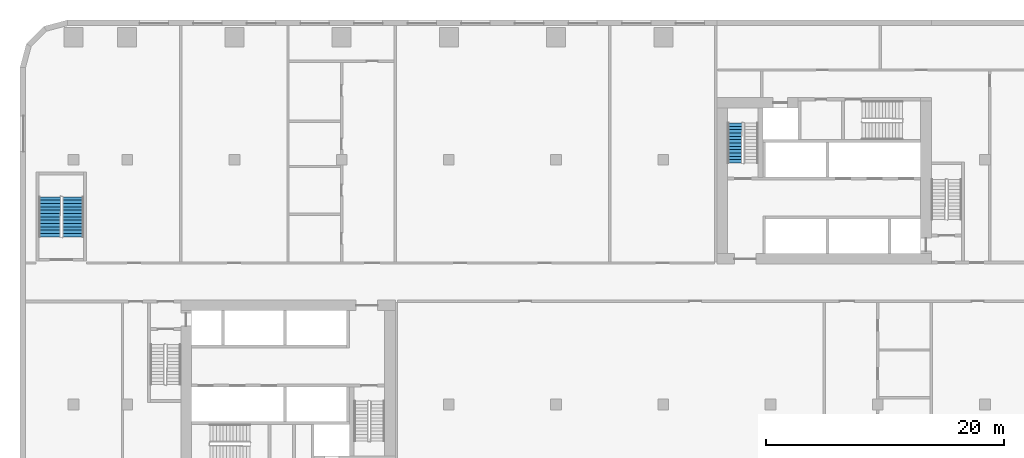
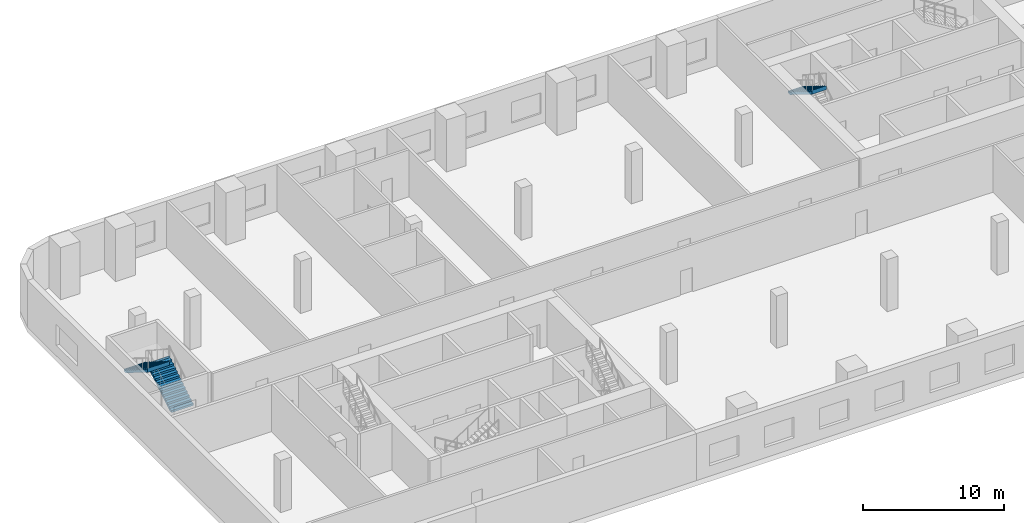
# One storey, part 10 of 15: 3 stair flights, 2 elements without a shape of their own.
"""IFC4 building model written with IfcOpenShell, lengths in metres."""

from ifc_helpers import new_model, si_unit, direction, frame, origin, place, context, subcontext, project, spatial, faceted_brep, material, type_object, element, aggregate, save


model = new_model("IFC4")

# Units and contexts
model_context = context("Model", 3, precision=1e-05, world=origin(), true_north=direction((0.0, 1.0)))
body_context = subcontext(model_context, "Body", "Model", "MODEL_VIEW")
ifc_project = project(units=[si_unit("LENGTHUNIT", "METRE"), si_unit("AREAUNIT", "SQUARE_METRE"), si_unit("VOLUMEUNIT", "CUBIC_METRE"), si_unit("PLANEANGLEUNIT", "RADIAN"), si_unit("MASSUNIT", "GRAM", prefix="KILO")], contexts=[model_context])

# Site, building, storey
site_placement = place(None, origin())
site = spatial("IfcSite", under=ifc_project, at=site_placement, CompositionType="ELEMENT")
building_placement = place(site_placement, origin())
building = spatial("IfcBuilding", under=site, at=building_placement, Name="Kajstack Hotel Tower", CompositionType="ELEMENT")
storey_placement = place(building_placement, frame((0.0, 0.0, 29.0)))
storey = spatial("IfcBuildingStorey", under=building, at=storey_placement, Name="L04", CompositionType="ELEMENT", Elevation=29.0)

# Stair, stair flights
ifc_material = material(Name="Concrete C40/50", Category="concrete")
stair_type_1 = type_object("IfcStairType", Name="Escape stair 1800", PredefinedType="HALF_TURN_STAIR", material=ifc_material)
stair_1_placement = place(storey_placement, origin())
stair_1 = element("IfcStair", 1, at=stair_1_placement, inside=storey, type_object=stair_type_1, Name="L04 stair P1", PredefinedType="HALF_TURN_STAIR")
stair_flight_type_1 = type_object("IfcStairFlightType", Name="Escape stair flight 1800", PredefinedType="STRAIGHT", material=ifc_material)
stair_flight_1_placement = place(storey_placement, frame((-40.550048828125, 3.800048828125, 0.0), z_axis=(0.0, 0.0, 1.0), x_axis=(0.0, 1.0, 0.0)))
stair_flight_1 = element("IfcStairFlight", 2, at=stair_flight_1_placement, type_object=stair_flight_type_1, Name="P1 flight 1", NumberOfRisers=13, NumberOfTreads=12, PredefinedType="STRAIGHT", RiserHeight=0.173076923, TreadLength=0.28, context=body_context, shape_type="Brep", body=[
    faceted_brep([(0.28564453125, -0.89990234375, 0.0), (3.360595703125, -0.89990234375, 1.900634765625), (3.360595703125, -0.89990234375, 2.25), (3.360107421875, -0.89990234375, 2.25), (3.360107421875, -0.89990234375, 2.076904296875), (3.080078125, -0.89990234375, 2.076904296875), (3.080078125, -0.89990234375, 1.90380859375), (2.800048828125, -0.89990234375, 1.90380859375), (2.800048828125, -0.89990234375, 1.730712890625), (2.52001953125, -0.89990234375, 1.730712890625), (2.52001953125, -0.89990234375, 1.5576171875), (2.239990234375, -0.89990234375, 1.5576171875), (2.239990234375, -0.89990234375, 1.384521484375), (1.9599609375, -0.89990234375, 1.384521484375), (1.9599609375, -0.89990234375, 1.21142578125), (1.679931640625, -0.89990234375, 1.21142578125), (1.679931640625, -0.89990234375, 1.03857421875), (1.39990234375, -0.89990234375, 1.03857421875), (1.39990234375, -0.89990234375, 0.865478515625), (1.1201171875, -0.89990234375, 0.865478515625), (1.1201171875, -0.89990234375, 0.6923828125), (0.840087890625, -0.89990234375, 0.6923828125), (0.840087890625, -0.89990234375, 0.519287109375), (0.56005859375, -0.89990234375, 0.519287109375), (0.56005859375, -0.89990234375, 0.34619140625), (0.280029296875, -0.89990234375, 0.34619140625), (0.280029296875, -0.89990234375, 0.173095703125), (-0.00048828125, -0.89990234375, 0.173095703125), (-0.00048828125, -0.89990234375, 0.0), (-0.00048828125, 0.89990234375, 0.0), (-0.00048828125, 0.89990234375, 0.173095703125), (0.280029296875, 0.89990234375, 0.173095703125), (0.280029296875, 0.89990234375, 0.34619140625), (0.56005859375, 0.89990234375, 0.34619140625), (0.56005859375, 0.89990234375, 0.519287109375), (0.840087890625, 0.89990234375, 0.519287109375), (0.840087890625, 0.89990234375, 0.6923828125), (1.1201171875, 0.89990234375, 0.6923828125), (1.1201171875, 0.89990234375, 0.865478515625), (1.39990234375, 0.89990234375, 0.865478515625), (1.39990234375, 0.89990234375, 1.03857421875), (1.679931640625, 0.89990234375, 1.03857421875), (1.679931640625, 0.89990234375, 1.21142578125), (1.9599609375, 0.89990234375, 1.21142578125), (1.9599609375, 0.89990234375, 1.384521484375), (2.239990234375, 0.89990234375, 1.384521484375), (2.239990234375, 0.89990234375, 1.5576171875), (2.52001953125, 0.89990234375, 1.5576171875), (2.52001953125, 0.89990234375, 1.730712890625), (2.800048828125, 0.89990234375, 1.730712890625), (2.800048828125, 0.89990234375, 1.90380859375), (3.080078125, 0.89990234375, 1.90380859375), (3.080078125, 0.89990234375, 2.076904296875), (3.360107421875, 0.89990234375, 2.076904296875), (3.360107421875, 0.89990234375, 2.25), (3.360595703125, 0.89990234375, 2.25), (3.360595703125, 0.89990234375, 1.900634765625), (0.28564453125, 0.89990234375, 0.0), (-0.00048828125, -0.449951171875, 0.173095703125), (-0.00048828125, 0.0, 0.173095703125), (-0.00048828125, 0.449951171875, 0.173095703125), (-0.00048828125, 0.449951171875, 0.0), (-0.00048828125, 0.0, 0.0), (-0.00048828125, -0.449951171875, 0.0), (0.280029296875, -0.449951171875, 0.173095703125), (0.280029296875, 0.0, 0.173095703125), (0.280029296875, 0.449951171875, 0.173095703125), (0.280029296875, -0.449951171875, 0.34619140625), (0.280029296875, 0.0, 0.34619140625), (0.280029296875, 0.449951171875, 0.34619140625), (0.56005859375, -0.449951171875, 0.34619140625), (0.56005859375, 0.0, 0.34619140625), (0.56005859375, 0.449951171875, 0.34619140625), (0.56005859375, -0.449951171875, 0.519287109375), (0.56005859375, 0.0, 0.519287109375), (0.56005859375, 0.449951171875, 0.519287109375), (0.840087890625, -0.449951171875, 0.519287109375), (0.840087890625, 0.0, 0.519287109375), (0.840087890625, 0.449951171875, 0.519287109375), (0.840087890625, -0.449951171875, 0.6923828125), (0.840087890625, 0.0, 0.6923828125), (0.840087890625, 0.449951171875, 0.6923828125), (1.1201171875, -0.449951171875, 0.6923828125), (1.1201171875, 0.0, 0.6923828125), (1.1201171875, 0.449951171875, 0.6923828125), (1.1201171875, -0.449951171875, 0.865478515625), (1.1201171875, 0.0, 0.865478515625), (1.1201171875, 0.449951171875, 0.865478515625), (1.39990234375, -0.449951171875, 0.865478515625), (1.39990234375, 0.0, 0.865478515625), (1.39990234375, 0.449951171875, 0.865478515625), (1.39990234375, -0.449951171875, 1.03857421875), (1.39990234375, 0.0, 1.03857421875), (1.39990234375, 0.449951171875, 1.03857421875), (1.679931640625, -0.449951171875, 1.03857421875), (1.679931640625, 0.0, 1.03857421875), (1.679931640625, 0.449951171875, 1.03857421875), (1.679931640625, -0.449951171875, 1.21142578125), (1.679931640625, 0.0, 1.21142578125), (1.679931640625, 0.449951171875, 1.21142578125), (1.9599609375, -0.449951171875, 1.21142578125), (1.9599609375, 0.0, 1.21142578125), (1.9599609375, 0.449951171875, 1.21142578125), (1.9599609375, -0.449951171875, 1.384521484375), (1.9599609375, 0.0, 1.384521484375), (1.9599609375, 0.449951171875, 1.384521484375), (2.239990234375, -0.449951171875, 1.384521484375), (2.239990234375, 0.0, 1.384521484375), (2.239990234375, 0.449951171875, 1.384521484375), (2.239990234375, -0.449951171875, 1.5576171875), (2.239990234375, 0.0, 1.5576171875), (2.239990234375, 0.449951171875, 1.5576171875), (2.52001953125, -0.449951171875, 1.5576171875), (2.52001953125, 0.0, 1.5576171875), (2.52001953125, 0.449951171875, 1.5576171875), (2.52001953125, -0.449951171875, 1.730712890625), (2.52001953125, 0.0, 1.730712890625), (2.52001953125, 0.449951171875, 1.730712890625), (2.800048828125, -0.449951171875, 1.730712890625), (2.800048828125, 0.0, 1.730712890625), (2.800048828125, 0.449951171875, 1.730712890625), (2.800048828125, -0.449951171875, 1.90380859375), (2.800048828125, 0.0, 1.90380859375), (2.800048828125, 0.449951171875, 1.90380859375), (3.080078125, -0.449951171875, 1.90380859375), (3.080078125, 0.0, 1.90380859375), (3.080078125, 0.449951171875, 1.90380859375), (3.080078125, -0.449951171875, 2.076904296875), (3.080078125, 0.0, 2.076904296875), (3.080078125, 0.449951171875, 2.076904296875), (3.360107421875, -0.449951171875, 2.076904296875), (3.360107421875, 0.0, 2.076904296875), (3.360107421875, 0.449951171875, 2.076904296875), (3.360107421875, -0.449951171875, 2.25), (3.360107421875, 0.0, 2.25), (3.360107421875, 0.449951171875, 2.25), (3.360595703125, -0.449951171875, 2.25), (3.360595703125, 0.0, 2.25), (3.360595703125, 0.449951171875, 2.25), (3.360595703125, -0.449951171875, 1.900634765625), (3.360595703125, 0.0, 1.900634765625), (3.360595703125, 0.449951171875, 1.900634765625), (0.28564453125, -0.449951171875, 0.0), (0.28564453125, 0.0, 0.0), (0.28564453125, 0.449951171875, 0.0)], [[[0, 1, 2, 3, 4, 5, 6, 7, 8, 9, 10, 11, 12, 13, 14, 15, 16, 17, 18, 19, 20, 21, 22, 23, 24, 25, 26, 27, 28]], [[29, 30, 31, 32, 33, 34, 35, 36, 37, 38, 39, 40, 41, 42, 43, 44, 45, 46, 47, 48, 49, 50, 51, 52, 53, 54, 55, 56, 57]], [[27, 58, 59, 60, 30, 29, 61, 62, 63, 28]], [[26, 64, 65, 66, 31, 30, 60, 59, 58, 27]], [[25, 67, 68, 69, 32, 31, 66, 65, 64, 26]], [[24, 70, 71, 72, 33, 32, 69, 68, 67, 25]], [[23, 73, 74, 75, 34, 33, 72, 71, 70, 24]], [[22, 76, 77, 78, 35, 34, 75, 74, 73, 23]], [[21, 79, 80, 81, 36, 35, 78, 77, 76, 22]], [[20, 82, 83, 84, 37, 36, 81, 80, 79, 21]], [[19, 85, 86, 87, 38, 37, 84, 83, 82, 20]], [[18, 88, 89, 90, 39, 38, 87, 86, 85, 19]], [[17, 91, 92, 93, 40, 39, 90, 89, 88, 18]], [[16, 94, 95, 96, 41, 40, 93, 92, 91, 17]], [[15, 97, 98, 99, 42, 41, 96, 95, 94, 16]], [[14, 100, 101, 102, 43, 42, 99, 98, 97, 15]], [[13, 103, 104, 105, 44, 43, 102, 101, 100, 14]], [[12, 106, 107, 108, 45, 44, 105, 104, 103, 13]], [[11, 109, 110, 111, 46, 45, 108, 107, 106, 12]], [[10, 112, 113, 114, 47, 46, 111, 110, 109, 11]], [[9, 115, 116, 117, 48, 47, 114, 113, 112, 10]], [[8, 118, 119, 120, 49, 48, 117, 116, 115, 9]], [[7, 121, 122, 123, 50, 49, 120, 119, 118, 8]], [[6, 124, 125, 126, 51, 50, 123, 122, 121, 7]], [[5, 127, 128, 129, 52, 51, 126, 125, 124, 6]], [[4, 130, 131, 132, 53, 52, 129, 128, 127, 5]], [[3, 133, 134, 135, 54, 53, 132, 131, 130, 4]], [[2, 136, 137, 138, 55, 54, 135, 134, 133, 3]], [[1, 139, 140, 141, 56, 55, 138, 137, 136, 2]], [[0, 142, 143, 144, 57, 56, 141, 140, 139, 1]], [[28, 63, 62, 61, 29, 57, 144, 143, 142, 0]]]),
])
stair_flight_2_placement = place(storey_placement, frame((-42.5, 7.159912109375, 2.25), z_axis=(0.0, 0.0, 1.0), x_axis=(0.0, -1.0, 0.0)))
stair_flight_2 = element("IfcStairFlight", 3, at=stair_flight_2_placement, type_object=stair_flight_type_1, Name="P1 flight 2", NumberOfRisers=13, NumberOfTreads=12, PredefinedType="STRAIGHT", RiserHeight=0.173076923, TreadLength=0.28, context=body_context, shape_type="Brep", body=[
    faceted_brep([(0.28564453125, -0.89990234375, 0.0), (3.360595703125, -0.89990234375, 1.900634765625), (3.360595703125, -0.89990234375, 2.25), (3.360107421875, -0.89990234375, 2.25), (3.360107421875, -0.89990234375, 2.076904296875), (3.080078125, -0.89990234375, 2.076904296875), (3.080078125, -0.89990234375, 1.90380859375), (2.800048828125, -0.89990234375, 1.90380859375), (2.800048828125, -0.89990234375, 1.730712890625), (2.52001953125, -0.89990234375, 1.730712890625), (2.52001953125, -0.89990234375, 1.5576171875), (2.239990234375, -0.89990234375, 1.5576171875), (2.239990234375, -0.89990234375, 1.384521484375), (1.9599609375, -0.89990234375, 1.384521484375), (1.9599609375, -0.89990234375, 1.21142578125), (1.679931640625, -0.89990234375, 1.21142578125), (1.679931640625, -0.89990234375, 1.03857421875), (1.39990234375, -0.89990234375, 1.03857421875), (1.39990234375, -0.89990234375, 0.865478515625), (1.1201171875, -0.89990234375, 0.865478515625), (1.1201171875, -0.89990234375, 0.6923828125), (0.840087890625, -0.89990234375, 0.6923828125), (0.840087890625, -0.89990234375, 0.519287109375), (0.56005859375, -0.89990234375, 0.519287109375), (0.56005859375, -0.89990234375, 0.34619140625), (0.280029296875, -0.89990234375, 0.34619140625), (0.280029296875, -0.89990234375, 0.173095703125), (-0.00048828125, -0.89990234375, 0.173095703125), (-0.00048828125, -0.89990234375, 0.0), (-0.00048828125, 0.89990234375, 0.0), (-0.00048828125, 0.89990234375, 0.173095703125), (0.280029296875, 0.89990234375, 0.173095703125), (0.280029296875, 0.89990234375, 0.34619140625), (0.56005859375, 0.89990234375, 0.34619140625), (0.56005859375, 0.89990234375, 0.519287109375), (0.840087890625, 0.89990234375, 0.519287109375), (0.840087890625, 0.89990234375, 0.6923828125), (1.1201171875, 0.89990234375, 0.6923828125), (1.1201171875, 0.89990234375, 0.865478515625), (1.39990234375, 0.89990234375, 0.865478515625), (1.39990234375, 0.89990234375, 1.03857421875), (1.679931640625, 0.89990234375, 1.03857421875), (1.679931640625, 0.89990234375, 1.21142578125), (1.9599609375, 0.89990234375, 1.21142578125), (1.9599609375, 0.89990234375, 1.384521484375), (2.239990234375, 0.89990234375, 1.384521484375), (2.239990234375, 0.89990234375, 1.5576171875), (2.52001953125, 0.89990234375, 1.5576171875), (2.52001953125, 0.89990234375, 1.730712890625), (2.800048828125, 0.89990234375, 1.730712890625), (2.800048828125, 0.89990234375, 1.90380859375), (3.080078125, 0.89990234375, 1.90380859375), (3.080078125, 0.89990234375, 2.076904296875), (3.360107421875, 0.89990234375, 2.076904296875), (3.360107421875, 0.89990234375, 2.25), (3.360595703125, 0.89990234375, 2.25), (3.360595703125, 0.89990234375, 1.900634765625), (0.28564453125, 0.89990234375, 0.0), (-0.00048828125, -0.449951171875, 0.173095703125), (-0.00048828125, 0.0, 0.173095703125), (-0.00048828125, 0.449951171875, 0.173095703125), (-0.00048828125, 0.449951171875, 0.0), (-0.00048828125, 0.0, 0.0), (-0.00048828125, -0.449951171875, 0.0), (0.280029296875, -0.449951171875, 0.173095703125), (0.280029296875, 0.0, 0.173095703125), (0.280029296875, 0.449951171875, 0.173095703125), (0.280029296875, -0.449951171875, 0.34619140625), (0.280029296875, 0.0, 0.34619140625), (0.280029296875, 0.449951171875, 0.34619140625), (0.56005859375, -0.449951171875, 0.34619140625), (0.56005859375, 0.0, 0.34619140625), (0.56005859375, 0.449951171875, 0.34619140625), (0.56005859375, -0.449951171875, 0.519287109375), (0.56005859375, 0.0, 0.519287109375), (0.56005859375, 0.449951171875, 0.519287109375), (0.840087890625, -0.449951171875, 0.519287109375), (0.840087890625, 0.0, 0.519287109375), (0.840087890625, 0.449951171875, 0.519287109375), (0.840087890625, -0.449951171875, 0.6923828125), (0.840087890625, 0.0, 0.6923828125), (0.840087890625, 0.449951171875, 0.6923828125), (1.1201171875, -0.449951171875, 0.6923828125), (1.1201171875, 0.0, 0.6923828125), (1.1201171875, 0.449951171875, 0.6923828125), (1.1201171875, -0.449951171875, 0.865478515625), (1.1201171875, 0.0, 0.865478515625), (1.1201171875, 0.449951171875, 0.865478515625), (1.39990234375, -0.449951171875, 0.865478515625), (1.39990234375, 0.0, 0.865478515625), (1.39990234375, 0.449951171875, 0.865478515625), (1.39990234375, -0.449951171875, 1.03857421875), (1.39990234375, 0.0, 1.03857421875), (1.39990234375, 0.449951171875, 1.03857421875), (1.679931640625, -0.449951171875, 1.03857421875), (1.679931640625, 0.0, 1.03857421875), (1.679931640625, 0.449951171875, 1.03857421875), (1.679931640625, -0.449951171875, 1.21142578125), (1.679931640625, 0.0, 1.21142578125), (1.679931640625, 0.449951171875, 1.21142578125), (1.9599609375, -0.449951171875, 1.21142578125), (1.9599609375, 0.0, 1.21142578125), (1.9599609375, 0.449951171875, 1.21142578125), (1.9599609375, -0.449951171875, 1.384521484375), (1.9599609375, 0.0, 1.384521484375), (1.9599609375, 0.449951171875, 1.384521484375), (2.239990234375, -0.449951171875, 1.384521484375), (2.239990234375, 0.0, 1.384521484375), (2.239990234375, 0.449951171875, 1.384521484375), (2.239990234375, -0.449951171875, 1.5576171875), (2.239990234375, 0.0, 1.5576171875), (2.239990234375, 0.449951171875, 1.5576171875), (2.52001953125, -0.449951171875, 1.5576171875), (2.52001953125, 0.0, 1.5576171875), (2.52001953125, 0.449951171875, 1.5576171875), (2.52001953125, -0.449951171875, 1.730712890625), (2.52001953125, 0.0, 1.730712890625), (2.52001953125, 0.449951171875, 1.730712890625), (2.800048828125, -0.449951171875, 1.730712890625), (2.800048828125, 0.0, 1.730712890625), (2.800048828125, 0.449951171875, 1.730712890625), (2.800048828125, -0.449951171875, 1.90380859375), (2.800048828125, 0.0, 1.90380859375), (2.800048828125, 0.449951171875, 1.90380859375), (3.080078125, -0.449951171875, 1.90380859375), (3.080078125, 0.0, 1.90380859375), (3.080078125, 0.449951171875, 1.90380859375), (3.080078125, -0.449951171875, 2.076904296875), (3.080078125, 0.0, 2.076904296875), (3.080078125, 0.449951171875, 2.076904296875), (3.360107421875, -0.449951171875, 2.076904296875), (3.360107421875, 0.0, 2.076904296875), (3.360107421875, 0.449951171875, 2.076904296875), (3.360107421875, -0.449951171875, 2.25), (3.360107421875, 0.0, 2.25), (3.360107421875, 0.449951171875, 2.25), (3.360595703125, -0.449951171875, 2.25), (3.360595703125, 0.0, 2.25), (3.360595703125, 0.449951171875, 2.25), (3.360595703125, -0.449951171875, 1.900634765625), (3.360595703125, 0.0, 1.900634765625), (3.360595703125, 0.449951171875, 1.900634765625), (0.28564453125, -0.449951171875, 0.0), (0.28564453125, 0.0, 0.0), (0.28564453125, 0.449951171875, 0.0)], [[[0, 1, 2, 3, 4, 5, 6, 7, 8, 9, 10, 11, 12, 13, 14, 15, 16, 17, 18, 19, 20, 21, 22, 23, 24, 25, 26, 27, 28]], [[29, 30, 31, 32, 33, 34, 35, 36, 37, 38, 39, 40, 41, 42, 43, 44, 45, 46, 47, 48, 49, 50, 51, 52, 53, 54, 55, 56, 57]], [[27, 58, 59, 60, 30, 29, 61, 62, 63, 28]], [[26, 64, 65, 66, 31, 30, 60, 59, 58, 27]], [[25, 67, 68, 69, 32, 31, 66, 65, 64, 26]], [[24, 70, 71, 72, 33, 32, 69, 68, 67, 25]], [[23, 73, 74, 75, 34, 33, 72, 71, 70, 24]], [[22, 76, 77, 78, 35, 34, 75, 74, 73, 23]], [[21, 79, 80, 81, 36, 35, 78, 77, 76, 22]], [[20, 82, 83, 84, 37, 36, 81, 80, 79, 21]], [[19, 85, 86, 87, 38, 37, 84, 83, 82, 20]], [[18, 88, 89, 90, 39, 38, 87, 86, 85, 19]], [[17, 91, 92, 93, 40, 39, 90, 89, 88, 18]], [[16, 94, 95, 96, 41, 40, 93, 92, 91, 17]], [[15, 97, 98, 99, 42, 41, 96, 95, 94, 16]], [[14, 100, 101, 102, 43, 42, 99, 98, 97, 15]], [[13, 103, 104, 105, 44, 43, 102, 101, 100, 14]], [[12, 106, 107, 108, 45, 44, 105, 104, 103, 13]], [[11, 109, 110, 111, 46, 45, 108, 107, 106, 12]], [[10, 112, 113, 114, 47, 46, 111, 110, 109, 11]], [[9, 115, 116, 117, 48, 47, 114, 113, 112, 10]], [[8, 118, 119, 120, 49, 48, 117, 116, 115, 9]], [[7, 121, 122, 123, 50, 49, 120, 119, 118, 8]], [[6, 124, 125, 126, 51, 50, 123, 122, 121, 7]], [[5, 127, 128, 129, 52, 51, 126, 125, 124, 6]], [[4, 130, 131, 132, 53, 52, 129, 128, 127, 5]], [[3, 133, 134, 135, 54, 53, 132, 131, 130, 4]], [[2, 136, 137, 138, 55, 54, 135, 134, 133, 3]], [[1, 139, 140, 141, 56, 55, 138, 137, 136, 2]], [[0, 142, 143, 144, 57, 56, 141, 140, 139, 1]], [[28, 63, 62, 61, 29, 57, 144, 143, 142, 0]]]),
])
aggregate(stair_1, [stair_flight_1, stair_flight_2])

# Stair, stair flight
stair_type_2 = type_object("IfcStairType", Name="Exit stair 1200", PredefinedType="HALF_TURN_STAIR", material=ifc_material)
stair_2_placement = place(storey_placement, origin())
stair_2 = element("IfcStair", 4, at=stair_2_placement, inside=storey, type_object=stair_type_2, Name="L04 stair E2", PredefinedType="HALF_TURN_STAIR")
stair_flight_type_2 = type_object("IfcStairFlightType", Name="Exit stair flight 1200", PredefinedType="STRAIGHT", material=ifc_material)
stair_flight_3_placement = place(storey_placement, frame((15.0, 13.360107421875, 2.25), z_axis=(0.0, 0.0, 1.0), x_axis=(0.0, -1.0, 0.0)))
stair_flight_3 = element("IfcStairFlight", 5, at=stair_flight_3_placement, type_object=stair_flight_type_2, Name="E2 flight 2", NumberOfRisers=13, NumberOfTreads=12, PredefinedType="STRAIGHT", RiserHeight=0.173076923, TreadLength=0.28, context=body_context, shape_type="Brep", body=[
    faceted_brep([(0.28564453125, -0.60009765625, 0.0), (3.360595703125, -0.60009765625, 1.900634765625), (3.360595703125, -0.60009765625, 2.25), (3.360107421875, -0.60009765625, 2.25), (3.360107421875, -0.60009765625, 2.076904296875), (3.080078125, -0.60009765625, 2.076904296875), (3.080078125, -0.60009765625, 1.90380859375), (2.800048828125, -0.60009765625, 1.90380859375), (2.800048828125, -0.60009765625, 1.730712890625), (2.52001953125, -0.60009765625, 1.730712890625), (2.52001953125, -0.60009765625, 1.5576171875), (2.239990234375, -0.60009765625, 1.5576171875), (2.239990234375, -0.60009765625, 1.384521484375), (1.9599609375, -0.60009765625, 1.384521484375), (1.9599609375, -0.60009765625, 1.21142578125), (1.679931640625, -0.60009765625, 1.21142578125), (1.679931640625, -0.60009765625, 1.03857421875), (1.39990234375, -0.60009765625, 1.03857421875), (1.39990234375, -0.60009765625, 0.865478515625), (1.1201171875, -0.60009765625, 0.865478515625), (1.1201171875, -0.60009765625, 0.6923828125), (0.840087890625, -0.60009765625, 0.6923828125), (0.840087890625, -0.60009765625, 0.519287109375), (0.56005859375, -0.60009765625, 0.519287109375), (0.56005859375, -0.60009765625, 0.34619140625), (0.280029296875, -0.60009765625, 0.34619140625), (0.280029296875, -0.60009765625, 0.173095703125), (-0.00048828125, -0.60009765625, 0.173095703125), (-0.00048828125, -0.60009765625, 0.0), (-0.00048828125, 0.60009765625, 0.0), (-0.00048828125, 0.60009765625, 0.173095703125), (0.280029296875, 0.60009765625, 0.173095703125), (0.280029296875, 0.60009765625, 0.34619140625), (0.56005859375, 0.60009765625, 0.34619140625), (0.56005859375, 0.60009765625, 0.519287109375), (0.840087890625, 0.60009765625, 0.519287109375), (0.840087890625, 0.60009765625, 0.6923828125), (1.1201171875, 0.60009765625, 0.6923828125), (1.1201171875, 0.60009765625, 0.865478515625), (1.39990234375, 0.60009765625, 0.865478515625), (1.39990234375, 0.60009765625, 1.03857421875), (1.679931640625, 0.60009765625, 1.03857421875), (1.679931640625, 0.60009765625, 1.21142578125), (1.9599609375, 0.60009765625, 1.21142578125), (1.9599609375, 0.60009765625, 1.384521484375), (2.239990234375, 0.60009765625, 1.384521484375), (2.239990234375, 0.60009765625, 1.5576171875), (2.52001953125, 0.60009765625, 1.5576171875), (2.52001953125, 0.60009765625, 1.730712890625), (2.800048828125, 0.60009765625, 1.730712890625), (2.800048828125, 0.60009765625, 1.90380859375), (3.080078125, 0.60009765625, 1.90380859375), (3.080078125, 0.60009765625, 2.076904296875), (3.360107421875, 0.60009765625, 2.076904296875), (3.360107421875, 0.60009765625, 2.25), (3.360595703125, 0.60009765625, 2.25), (3.360595703125, 0.60009765625, 1.900634765625), (0.28564453125, 0.60009765625, 0.0), (-0.00048828125, -0.300048828125, 0.173095703125), (-0.00048828125, 0.0, 0.173095703125), (-0.00048828125, 0.300048828125, 0.173095703125), (-0.00048828125, 0.300048828125, 0.0), (-0.00048828125, 0.0, 0.0), (-0.00048828125, -0.300048828125, 0.0), (0.280029296875, -0.300048828125, 0.173095703125), (0.280029296875, 0.0, 0.173095703125), (0.280029296875, 0.300048828125, 0.173095703125), (0.280029296875, -0.300048828125, 0.34619140625), (0.280029296875, 0.0, 0.34619140625), (0.280029296875, 0.300048828125, 0.34619140625), (0.56005859375, -0.300048828125, 0.34619140625), (0.56005859375, 0.0, 0.34619140625), (0.56005859375, 0.300048828125, 0.34619140625), (0.56005859375, -0.300048828125, 0.519287109375), (0.56005859375, 0.0, 0.519287109375), (0.56005859375, 0.300048828125, 0.519287109375), (0.840087890625, -0.300048828125, 0.519287109375), (0.840087890625, 0.0, 0.519287109375), (0.840087890625, 0.300048828125, 0.519287109375), (0.840087890625, -0.300048828125, 0.6923828125), (0.840087890625, 0.0, 0.6923828125), (0.840087890625, 0.300048828125, 0.6923828125), (1.1201171875, -0.300048828125, 0.6923828125), (1.1201171875, 0.0, 0.6923828125), (1.1201171875, 0.300048828125, 0.6923828125), (1.1201171875, -0.300048828125, 0.865478515625), (1.1201171875, 0.0, 0.865478515625), (1.1201171875, 0.300048828125, 0.865478515625), (1.39990234375, -0.300048828125, 0.865478515625), (1.39990234375, 0.0, 0.865478515625), (1.39990234375, 0.300048828125, 0.865478515625), (1.39990234375, -0.300048828125, 1.03857421875), (1.39990234375, 0.0, 1.03857421875), (1.39990234375, 0.300048828125, 1.03857421875), (1.679931640625, -0.300048828125, 1.03857421875), (1.679931640625, 0.0, 1.03857421875), (1.679931640625, 0.300048828125, 1.03857421875), (1.679931640625, -0.300048828125, 1.21142578125), (1.679931640625, 0.0, 1.21142578125), (1.679931640625, 0.300048828125, 1.21142578125), (1.9599609375, -0.300048828125, 1.21142578125), (1.9599609375, 0.0, 1.21142578125), (1.9599609375, 0.300048828125, 1.21142578125), (1.9599609375, -0.300048828125, 1.384521484375), (1.9599609375, 0.0, 1.384521484375), (1.9599609375, 0.300048828125, 1.384521484375), (2.239990234375, -0.300048828125, 1.384521484375), (2.239990234375, 0.0, 1.384521484375), (2.239990234375, 0.300048828125, 1.384521484375), (2.239990234375, -0.300048828125, 1.5576171875), (2.239990234375, 0.0, 1.5576171875), (2.239990234375, 0.300048828125, 1.5576171875), (2.52001953125, -0.300048828125, 1.5576171875), (2.52001953125, 0.0, 1.5576171875), (2.52001953125, 0.300048828125, 1.5576171875), (2.52001953125, -0.300048828125, 1.730712890625), (2.52001953125, 0.0, 1.730712890625), (2.52001953125, 0.300048828125, 1.730712890625), (2.800048828125, -0.300048828125, 1.730712890625), (2.800048828125, 0.0, 1.730712890625), (2.800048828125, 0.300048828125, 1.730712890625), (2.800048828125, -0.300048828125, 1.90380859375), (2.800048828125, 0.0, 1.90380859375), (2.800048828125, 0.300048828125, 1.90380859375), (3.080078125, -0.300048828125, 1.90380859375), (3.080078125, 0.0, 1.90380859375), (3.080078125, 0.300048828125, 1.90380859375), (3.080078125, -0.300048828125, 2.076904296875), (3.080078125, 0.0, 2.076904296875), (3.080078125, 0.300048828125, 2.076904296875), (3.360107421875, -0.300048828125, 2.076904296875), (3.360107421875, 0.0, 2.076904296875), (3.360107421875, 0.300048828125, 2.076904296875), (3.360107421875, -0.300048828125, 2.25), (3.360107421875, 0.0, 2.25), (3.360107421875, 0.300048828125, 2.25), (3.360595703125, -0.300048828125, 2.25), (3.360595703125, 0.0, 2.25), (3.360595703125, 0.300048828125, 2.25), (3.360595703125, -0.300048828125, 1.900634765625), (3.360595703125, 0.0, 1.900634765625), (3.360595703125, 0.300048828125, 1.900634765625), (0.28564453125, -0.300048828125, 0.0), (0.28564453125, 0.0, 0.0), (0.28564453125, 0.300048828125, 0.0)], [[[0, 1, 2, 3, 4, 5, 6, 7, 8, 9, 10, 11, 12, 13, 14, 15, 16, 17, 18, 19, 20, 21, 22, 23, 24, 25, 26, 27, 28]], [[29, 30, 31, 32, 33, 34, 35, 36, 37, 38, 39, 40, 41, 42, 43, 44, 45, 46, 47, 48, 49, 50, 51, 52, 53, 54, 55, 56, 57]], [[27, 58, 59, 60, 30, 29, 61, 62, 63, 28]], [[26, 64, 65, 66, 31, 30, 60, 59, 58, 27]], [[25, 67, 68, 69, 32, 31, 66, 65, 64, 26]], [[24, 70, 71, 72, 33, 32, 69, 68, 67, 25]], [[23, 73, 74, 75, 34, 33, 72, 71, 70, 24]], [[22, 76, 77, 78, 35, 34, 75, 74, 73, 23]], [[21, 79, 80, 81, 36, 35, 78, 77, 76, 22]], [[20, 82, 83, 84, 37, 36, 81, 80, 79, 21]], [[19, 85, 86, 87, 38, 37, 84, 83, 82, 20]], [[18, 88, 89, 90, 39, 38, 87, 86, 85, 19]], [[17, 91, 92, 93, 40, 39, 90, 89, 88, 18]], [[16, 94, 95, 96, 41, 40, 93, 92, 91, 17]], [[15, 97, 98, 99, 42, 41, 96, 95, 94, 16]], [[14, 100, 101, 102, 43, 42, 99, 98, 97, 15]], [[13, 103, 104, 105, 44, 43, 102, 101, 100, 14]], [[12, 106, 107, 108, 45, 44, 105, 104, 103, 13]], [[11, 109, 110, 111, 46, 45, 108, 107, 106, 12]], [[10, 112, 113, 114, 47, 46, 111, 110, 109, 11]], [[9, 115, 116, 117, 48, 47, 114, 113, 112, 10]], [[8, 118, 119, 120, 49, 48, 117, 116, 115, 9]], [[7, 121, 122, 123, 50, 49, 120, 119, 118, 8]], [[6, 124, 125, 126, 51, 50, 123, 122, 121, 7]], [[5, 127, 128, 129, 52, 51, 126, 125, 124, 6]], [[4, 130, 131, 132, 53, 52, 129, 128, 127, 5]], [[3, 133, 134, 135, 54, 53, 132, 131, 130, 4]], [[2, 136, 137, 138, 55, 54, 135, 134, 133, 3]], [[1, 139, 140, 141, 56, 55, 138, 137, 136, 2]], [[0, 142, 143, 144, 57, 56, 141, 140, 139, 1]], [[28, 63, 62, 61, 29, 57, 144, 143, 142, 0]]]),
])
aggregate(stair_2, [stair_flight_3])

save(model, "model.ifc")
